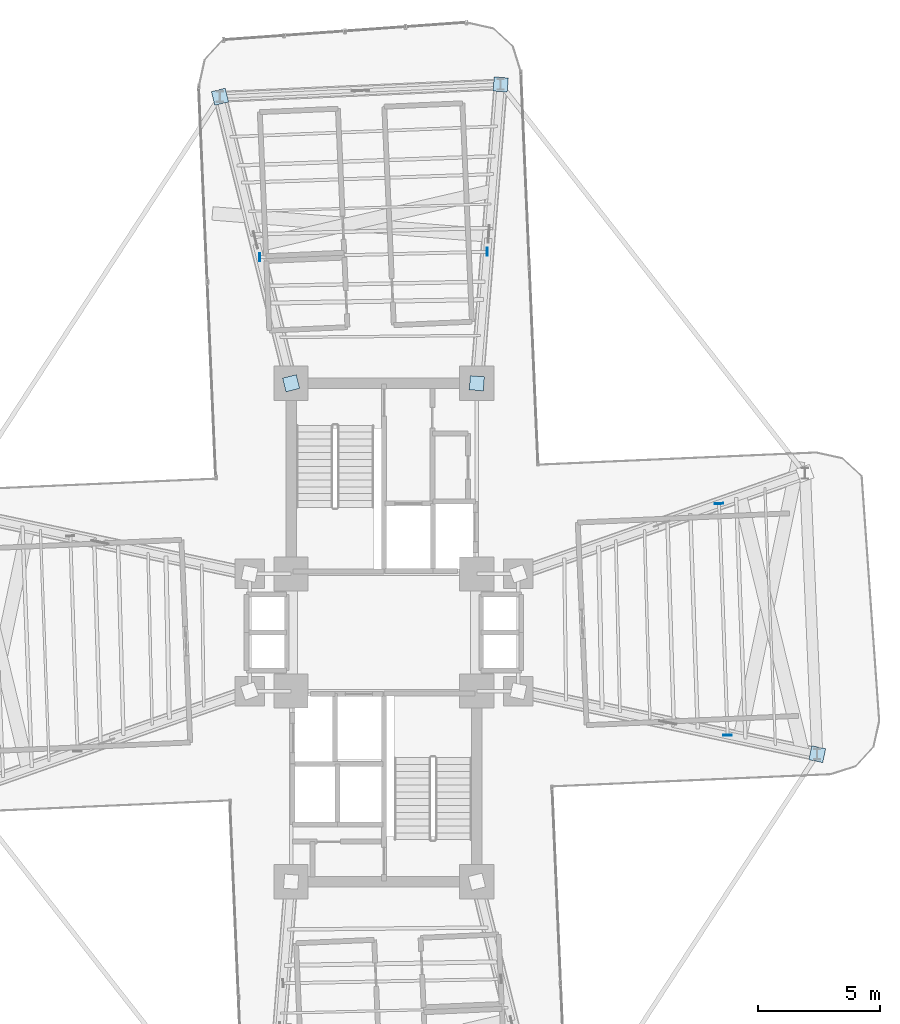
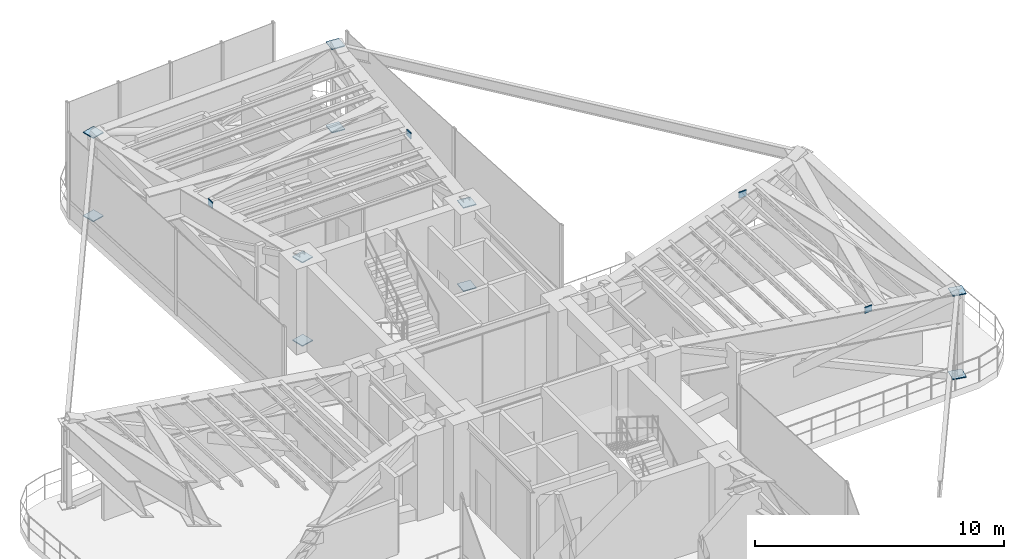
# One storey, part 14 of 18: 14 plates.
"""IFC4 building model written with IfcOpenShell, lengths in metres."""

from ifc_helpers import new_model, si_unit, direction, frame, origin, origin_2d, place, context, subcontext, project, spatial, rectangle, extrude, source, transform, mapped, material, type_object, element, save


model = new_model("IFC4")

# Units and contexts
model_context = context("Model", 3, precision=1e-05, world=origin(), true_north=direction((0.0, 1.0)))
body_context = subcontext(model_context, "Body", "Model", "MODEL_VIEW")
ifc_project = project(units=[si_unit("LENGTHUNIT", "METRE"), si_unit("AREAUNIT", "SQUARE_METRE"), si_unit("VOLUMEUNIT", "CUBIC_METRE"), si_unit("PLANEANGLEUNIT", "RADIAN"), si_unit("MASSUNIT", "GRAM", prefix="KILO")], contexts=[model_context])

# Site, building, storey
site_placement = place(None, origin())
site = spatial("IfcSite", under=ifc_project, at=site_placement, CompositionType="ELEMENT")
building_placement = place(site_placement, origin())
building = spatial("IfcBuilding", under=site, at=building_placement, Name="Sahyath Konkavel Grand Hotel", CompositionType="ELEMENT")
storey_placement = place(building_placement, frame((0.0, 0.0, 138.25)))
storey = spatial("IfcBuildingStorey", under=building, at=storey_placement, Name="L38", CompositionType="ELEMENT", Elevation=138.25)

# Plates
ifc_material = material(Name="Steel E450", Category="steel")
plate_type = type_object("IfcPlateType", Name="GUSSET-END-35", PredefinedType="USERDEFINED", material=ifc_material)
shared_shape_1 = source(origin(), body_context, "Body", "SweptSolid", [
    extrude(rectangle(XDim=0.580078125, YDim=0.580078125, at=origin_2d()), origin(), (0.0, 0.0, 1.0), 0.044921875),
])
for number, where, z_axis, x_axis, name in (
    (1, (17.734130859375, -4.981201171875, 0.027587890625), (0.0, 0.0, 1.0), (0.978458570704, -0.206443274088, 0.0), "L38 Core Outrigger Truss EA Cast-In Embed Gusset Plate BR"),
    (2, (17.734130859375, -4.981201171875, 4.107421875), (0.0, 0.0, 1.0), (0.978458570704, -0.206443274088, 0.0), "L38 Core Outrigger Truss EA Cast-In Embed Gusset Plate TR"),
    (3, (3.800048828125, 10.199951171875, 0.027587890625), (0.0, 0.0, 1.0), (0.079572613899, 0.996829072167, 0.0), "L38 Core Outrigger Truss NA Cast-In Embed Gusset Plate BL"),
    (4, (3.800048828125, 10.199951171875, 4.107421875), (0.0, 0.0, 1.0), (0.079572613899, 0.996829072167, 0.0), "L38 Core Outrigger Truss NA Cast-In Embed Gusset Plate TL"),
    (5, (4.776123046875, 22.4296875, 0.027587890625), (0.0, 0.0, 1.0), (0.079572613899, 0.996829072167, 0.0), "L38 Core Outrigger Truss NA Cast-In Embed Gusset Plate BR"),
    (6, (4.776123046875, 22.4296875, 4.107421875), (0.0, 0.0, 1.0), (0.079572613899, 0.996829072167, 0.0), "L38 Core Outrigger Truss NA Cast-In Embed Gusset Plate TR"),
    (7, (-3.800048828125, 10.199951171875, 0.027587890625), (0.0, 0.0, 1.0), (-0.241041183619, 0.970514887984, 0.0), "L38 Core Outrigger Truss NB Cast-In Embed Gusset Plate BL"),
    (8, (-3.800048828125, 10.199951171875, 4.107421875), (0.0, 0.0, 1.0), (-0.241041183619, 0.970514887984, 0.0), "L38 Core Outrigger Truss NB Cast-In Embed Gusset Plate TL"),
    (9, (-6.712890625, 21.927978515625, 0.027587890625), (0.0, 0.0, 1.0), (-0.241041183619, 0.970514887984, 0.0), "L38 Core Outrigger Truss NB Cast-In Embed Gusset Plate BR"),
    (10, (-6.712890625, 21.927978515625, 4.107421875), (0.0, 0.0, 1.0), (-0.241041183619, 0.970514887984, 0.0), "L38 Core Outrigger Truss NB Cast-In Embed Gusset Plate TR"),
):
    element("IfcPlate", number, at=place(storey_placement, frame(where, z_axis=z_axis, x_axis=x_axis)), inside=storey, type_object=plate_type, Name=name, ObjectType="GUSSET_PLATE", PredefinedType="USERDEFINED", context=body_context, shape_type="MappedRepresentation", body=[
        mapped(shared_shape_1, transform((0.0, 0.0, 0.0), scale=1.0)),
    ])
shared_shape_2 = source(origin(), body_context, "Body", "SweptSolid", [
    extrude(rectangle(XDim=0.0400390625, YDim=0.340087890625, at=origin_2d()), origin(), (0.0, 0.0, 1.0), 0.300048828125),
])
for number, where, z_axis, x_axis, name in (
    (11, (14.06396484375, -4.206787109375, 3.919921875), (0.0, 0.0, 1.0), (-0.037009979223, 0.999314896035, 0.0), "L38 Sub-Beam E-5 End Cap A"),
    (12, (13.712890625, 5.275390625, 3.919921875), (0.0, 0.0, 1.0), (-0.037009979223, 0.999314896035, 0.0), "L38 Sub-Beam E-5 End Cap B"),
    (13, (4.2294921875, 15.5810546875, 3.919921875), (0.0, 0.0, 1.0), (-0.999719130909, -0.023699352188, 0.0), "L38 Sub-Beam N-3 End Cap A"),
    (14, (-5.081787109375, 15.3603515625, 3.919921875), (0.0, 0.0, 1.0), (-0.999719130909, -0.023699352188, 0.0), "L38 Sub-Beam N-3 End Cap B"),
):
    element("IfcPlate", number, at=place(storey_placement, frame(where, z_axis=z_axis, x_axis=x_axis)), inside=storey, type_object=plate_type, Name=name, ObjectType="GUSSET_PLATE", PredefinedType="USERDEFINED", context=body_context, shape_type="MappedRepresentation", body=[
        mapped(shared_shape_2, transform((0.0, 0.0, 0.0), scale=1.0)),
    ])

save(model, "model.ifc")
